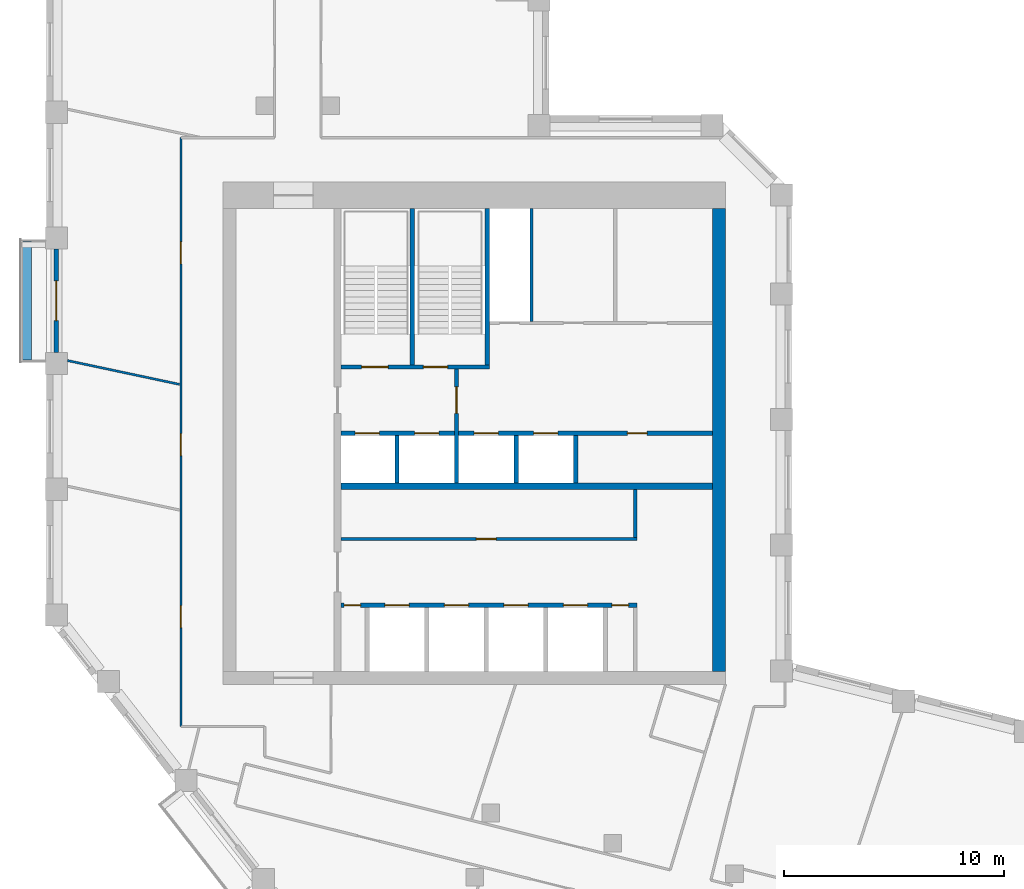
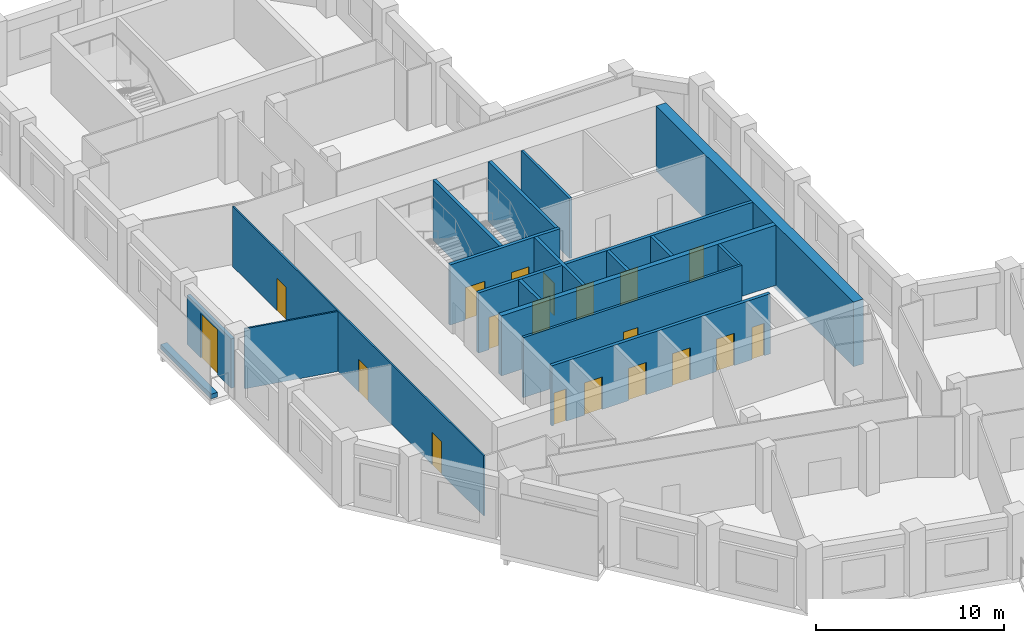
# One storey, part 5 of 9: 19 doors, 18 walls, 19 openings.
"""IFC4 building model written with IfcOpenShell, lengths in metres."""

import ifcopenshell
import ifcopenshell.guid

model = None  # the IFC model being written
_history = None  # IfcOwnerHistory: only IFC2X3 demands one
_inside = {}  # id of a spatial element -> (the spatial element, [elements in it])
_under = {}  # id of a project, library or spatial element -> (it, [spatial elements below it])
_declared = {}  # id of a project -> (the project, [libraries it declares])
_typed = {}  # id of a type object -> (the type object, [elements of that type])
_made_of = {}  # id of a material, layer set ... -> (it, [elements and type objects made of it])


def new_model(schema):
    """Start an empty IFC model of exactly this schema.

    Asked for "IFC4X3", IfcOpenShell would pick the latest addendum, in which some entities
    have other attributes; the version numbers below select the first issue.
    IFC2X3 requires an IfcOwnerHistory on every rooted entity: one is made here for all.
    """
    global model, _history
    if schema == "IFC4X3":
        model = ifcopenshell.file(schema_version=(4, 3, 0, 0))
    else:
        model = ifcopenshell.file(schema=schema)
    _inside.clear()
    _under.clear()
    _declared.clear()
    _typed.clear()
    _made_of.clear()
    _history = None
    if model.schema == "IFC2X3":
        org = make("IfcOrganization", Name="unknown")
        user = make(
            "IfcPersonAndOrganization",
            ThePerson=make("IfcPerson", FamilyName="unknown"),
            TheOrganization=org,
        )
        app = make(
            "IfcApplication",
            ApplicationDeveloper=org,
            Version="unknown",
            ApplicationFullName="unknown",
            ApplicationIdentifier="unknown",
        )
        _history = make(
            "IfcOwnerHistory",
            OwningUser=user,
            OwningApplication=app,
            ChangeAction="ADDED",
            CreationDate=0,
        )
    return model


def make(cls, **values):
    """One entity of the class cls with the attributes given. An attribute that is None is left unset."""
    return model.create_entity(
        cls, **{name: value for name, value in values.items() if value is not None}
    )


def rooted(cls, **values):
    """An entity with a GlobalId (a new one), such as an element, a storey or a relation."""
    return make(cls, GlobalId=ifcopenshell.guid.new(), OwnerHistory=_history, **values)


def si_unit(unit_type, name, prefix=None):
    """IfcSIUnit, for example si_unit("LENGTHUNIT", "METRE", prefix="MILLI")."""
    return make("IfcSIUnit", UnitType=unit_type, Prefix=prefix, Name=name)


def assignment(units):
    """IfcUnitAssignment: the units of a project."""
    return None if units is None else make("IfcUnitAssignment", Units=units)


def point(xyz):
    """IfcCartesianPoint."""
    return None if xyz is None else make("IfcCartesianPoint", Coordinates=xyz)


def direction(xyz):
    """IfcDirection."""
    return None if xyz is None else make("IfcDirection", DirectionRatios=xyz)


def frame(location, z_axis=None, x_axis=None):
    """IfcAxis2Placement3D, a coordinate frame: its origin and axes. An axis left out is left unset."""
    return make(
        "IfcAxis2Placement3D",
        Location=point(location),
        Axis=direction(z_axis),
        RefDirection=direction(x_axis),
    )


def frame_2d(location, x_axis=None):
    """IfcAxis2Placement2D, a coordinate frame in the plane: its origin and x axis."""
    return make(
        "IfcAxis2Placement2D", Location=point(location), RefDirection=direction(x_axis)
    )


def origin():
    """The frame at (0, 0, 0) with its axes left unset."""
    return frame((0.0, 0.0, 0.0))


def place(relative_to, where):
    """IfcLocalPlacement: puts the frame where relative to a parent placement (None: the world)."""
    return make(
        "IfcLocalPlacement", PlacementRelTo=relative_to, RelativePlacement=where
    )


def context(
    kind, dimensions, precision=None, world=None, true_north=None, identifier=None
):
    """IfcGeometricRepresentationContext, for example the 3D "Model" context."""
    return make(
        "IfcGeometricRepresentationContext",
        ContextIdentifier=identifier,
        ContextType=kind,
        CoordinateSpaceDimension=dimensions,
        Precision=precision,
        WorldCoordinateSystem=world,
        TrueNorth=true_north,
    )


def subcontext(parent, identifier, kind, view, scale=None):
    """IfcGeometricRepresentationSubContext, for example "Body" below "Model"."""
    return make(
        "IfcGeometricRepresentationSubContext",
        ContextIdentifier=identifier,
        ContextType=kind,
        ParentContext=parent,
        TargetScale=scale,
        TargetView=view,
    )


def project(units=None, contexts=None):
    """IfcProject with its units and contexts."""
    return rooted(
        "IfcProject",
        Name="project",
        RepresentationContexts=contexts,
        UnitsInContext=assignment(units),
    )


def spatial(cls, under=None, at=None, **own):
    """A site, building, storey or space (cls), placed at a placement, below another one or the project."""
    s = rooted(cls, ObjectPlacement=at, **own)
    if under is not None:
        _under.setdefault(under.id(), (under, []))[1].append(s)
    return s


def profile(cls, at=None, kind="AREA", **sizes):
    """A parametric profile (cls). Its sizes go by their IFC names, for example OverallWidth=200.0."""
    return make(cls, ProfileType=kind, Position=at, **sizes)


def rectangle(**sizes):
    """IfcRectangleProfileDef."""
    return profile("IfcRectangleProfileDef", **sizes)


def extrude(swept, where, along, depth):
    """IfcExtrudedAreaSolid: the profile swept, set in the frame where, extruded along a direction by depth."""
    return make(
        "IfcExtrudedAreaSolid",
        SweptArea=swept,
        Position=where,
        ExtrudedDirection=direction(along),
        Depth=depth,
    )


def shape(context_of_items, identifier, shape_type, items):
    """IfcShapeRepresentation: the items that make up one representation, for example the "Body"."""
    return make(
        "IfcShapeRepresentation",
        ContextOfItems=context_of_items,
        RepresentationIdentifier=identifier,
        RepresentationType=shape_type,
        Items=items,
    )


def material(Name=None, Category=None):
    """IfcMaterial."""
    return make("IfcMaterial", Name=Name, Category=Category)


def layer(
    of_material, thickness, ventilated=None, Name=None, Category=None, Priority=None
):
    """IfcMaterialLayer: one layer of a wall or slab, of a material (None: an air gap)."""
    return make(
        "IfcMaterialLayer",
        Material=of_material,
        LayerThickness=thickness,
        IsVentilated=ventilated,
        Name=Name,
        Category=Category,
        Priority=Priority,
    )


def layer_set(layers, Name=None):
    """IfcMaterialLayerSet."""
    return make("IfcMaterialLayerSet", MaterialLayers=layers, LayerSetName=Name)


def made_of(thing, what):
    """Note that an element or type object is made of a material, layer set ...; save() writes the relation."""
    if what is not None:
        _made_of.setdefault(what.id(), (what, []))[1].append(thing)
    return thing


def type_object(cls, material=None, **own):
    """A type object (cls), such as IfcWallType, which elements share."""
    return made_of(rooted(cls, **own), material)


def element(
    cls,
    number,
    at=None,
    inside=None,
    cuts=None,
    type_object=None,
    material=None,
    context=None,
    identifier="Body",
    shape_type=None,
    held_by="IfcProductDefinitionShape",
    body=None,
    shapes=None,
    **own,
):
    """One element of the class cls, such as IfcWall. Its Tag is "e" and its number.

    at: its placement. inside: the storey or other place that contains it. cuts: it is an
    opening in that element (IfcRelVoidsElement). A single representation is given by context,
    identifier, shape_type and body (its items); several are given by shapes. held_by: the class
    of the entity that holds the representations. save() writes the other relations.
    """
    e = rooted(cls, Tag="e%d" % number, ObjectPlacement=at, **own)
    if body is not None:
        shapes = [shape(context, identifier, shape_type, body)]
    if shapes is not None:
        e.Representation = make(held_by, Representations=shapes)
    if inside is not None:
        _inside.setdefault(inside.id(), (inside, []))[1].append(e)
    if cuts is not None:
        rooted(
            "IfcRelVoidsElement", RelatingBuildingElement=cuts, RelatedOpeningElement=e
        )
    if type_object is not None:
        _typed.setdefault(type_object.id(), (type_object, []))[1].append(e)
    return made_of(e, material)


def fill(opening, filler):
    """IfcRelFillsElement: the door or window that sits in an opening."""
    return rooted(
        "IfcRelFillsElement",
        RelatingOpeningElement=opening,
        RelatedBuildingElement=filler,
    )


def aggregate(whole, parts):
    """IfcRelAggregates: a whole, such as a stair, and the parts it consists of."""
    return rooted("IfcRelAggregates", RelatingObject=whole, RelatedObjects=parts)


def save(model, path):
    """Write the relations noted so far, then the file.

    IfcRelAggregates (storeys below a building ...), IfcRelContainedInSpatialStructure (elements
    in a storey), IfcRelDefinesByType, IfcRelAssociatesMaterial and IfcRelDeclares: one each for
    every whole, place, type object, material and project.
    """
    for whole, parts in _under.values():
        aggregate(whole, parts)
    for where, things in _inside.values():
        rooted(
            "IfcRelContainedInSpatialStructure",
            RelatedElements=things,
            RelatingStructure=where,
        )
    for kind, things in _typed.values():
        rooted("IfcRelDefinesByType", RelatedObjects=things, RelatingType=kind)
    for what, things in _made_of.values():
        rooted("IfcRelAssociatesMaterial", RelatedObjects=things, RelatingMaterial=what)
    for by, libraries in _declared.values():
        rooted("IfcRelDeclares", RelatingContext=by, RelatedDefinitions=libraries)
    model.write(path)


model = new_model("IFC4")

# Units and contexts
model_context = context("Model", 3, precision=1e-05, world=origin(), true_north=direction((0.0, 1.0)))
body_context = subcontext(model_context, "Body", "Model", "MODEL_VIEW")
ifc_project = project(units=[si_unit("LENGTHUNIT", "METRE"), si_unit("AREAUNIT", "SQUARE_METRE"), si_unit("VOLUMEUNIT", "CUBIC_METRE"), si_unit("PLANEANGLEUNIT", "RADIAN"), si_unit("MASSUNIT", "GRAM", prefix="KILO")], contexts=[model_context])

# Site, building, storey
site_placement = place(None, origin())
site = spatial("IfcSite", under=ifc_project, at=site_placement, CompositionType="ELEMENT")
building_placement = place(site_placement, origin())
building = spatial("IfcBuilding", under=site, at=building_placement, Name="Meshkara Civic Tower", CompositionType="ELEMENT")
storey_placement = place(building_placement, frame((0.0, 0.0, 336.0)))
storey = spatial("IfcBuildingStorey", under=building, at=storey_placement, Name="L77", CompositionType="ELEMENT", Elevation=336.0)

# Wall, opening, door
ifc_material_1 = material(Name="Blockwork", Category="masonry")
ifc_layer_1 = layer(ifc_material_1, 0.14990234375)
ifc_layer_set_1 = layer_set([ifc_layer_1], Name="Core partition 150")
wall_type_1 = type_object("IfcWallType", Name="Core partition 150", PredefinedType="PARTITIONING", material=ifc_layer_set_1)
wall_1_placement = place(storey_placement, frame((13.35009765625, 20.699951171875, 0.0), z_axis=(0.0, 0.0, 1.0), x_axis=(1.0, 0.0, 0.0)))
wall_1 = element("IfcWall", 1, at=wall_1_placement, inside=storey, type_object=wall_type_1, Name="L77-C006", PredefinedType="PARTITIONING", context=body_context, shape_type="SweptSolid", body=[
    extrude(rectangle(XDim=13.4248046875, YDim=0.14990234375, at=frame_2d((6.71240234375, 0.0))), origin(), (0.0, 0.0, 1.0), 3.89990234375),
])
opening_1_placement = place(wall_1_placement, frame((6.14990234375, 0.0, 0.0)))
opening_1 = element("IfcOpeningElement", 2, at=opening_1_placement, cuts=wall_1, Name="Opening L77-K011", PredefinedType="OPENING", context=body_context, shape_type="SweptSolid", body=[
    extrude(rectangle(XDim=0.89990234375, YDim=2.10009765625, at=frame_2d((0.449951171875, 1.050048828125))), frame((0.0, 0.0849609375, 0.0), z_axis=(0.0, -1.0, 0.0), x_axis=(1.0, 0.0, 0.0)), (0.0, 0.0, 1.0), 0.169921875),
])
ifc_material_2 = material(Name="Timber door leaf in steel frame", Category="steel")
door_type_1 = type_object("IfcDoorType", Name="Core room door 900", OperationType="SINGLE_SWING_LEFT", PredefinedType="DOOR", material=ifc_material_2)
door_1_placement = place(opening_1_placement, origin())
door_1 = element("IfcDoor", 3, at=door_1_placement, inside=storey, type_object=door_type_1, Name="L77-K011", OperationType="SINGLE_SWING_RIGHT", OverallHeight=2.10009765625, OverallWidth=0.89990234375, PredefinedType="DOOR", context=body_context, shape_type="SweptSolid", body=[
    extrude(rectangle(XDim=0.89990234375, YDim=2.10009765625, at=frame_2d((0.449951171875, 1.050048828125))), frame((0.0, 0.02490234375, 0.0), z_axis=(0.0, -1.0, 0.0), x_axis=(1.0, 0.0, 0.0)), (0.0, 0.0, 1.0), 0.050048828125),
])
fill(opening_1, door_1)

# Walls
wall_2_placement = place(storey_placement, frame((22.0, 30.574951171875, 0.0), z_axis=(0.0, 0.0, 1.0), x_axis=(0.0, 1.0, 0.0)))
element("IfcWall", 4, at=wall_2_placement, inside=storey, type_object=wall_type_1, Name="L77-C020", PredefinedType="PARTITIONING", context=body_context, shape_type="SweptSolid", body=[
    extrude(rectangle(XDim=5.125, YDim=0.14990234375, at=frame_2d((2.5625, 0.0))), origin(), (0.0, 0.0, 1.0), 3.89990234375),
])
wall_3_placement = place(storey_placement, frame((26.699951171875, 20.77490234375, 0.0), z_axis=(0.0, 0.0, 1.0), x_axis=(0.0, 1.0, 0.0)))
element("IfcWall", 5, at=wall_3_placement, inside=storey, type_object=wall_type_1, Name="L77-C026", PredefinedType="PARTITIONING", context=body_context, shape_type="SweptSolid", body=[
    extrude(rectangle(XDim=2.175048828125, YDim=0.14990234375, at=frame_2d((1.08740234375, 0.0))), origin(), (0.0, 0.0, 1.0), 3.89990234375),
])
ifc_material_3 = material(Name="Concrete C60", Category="concrete")
ifc_layer_2 = layer(ifc_material_3, 0.60009765625)
ifc_layer_set_2 = layer_set([ifc_layer_2], Name="Core ring wall 600 C60")
wall_type_2 = type_object("IfcWallType", Name="Core ring wall 600 C60", PredefinedType="SHEAR", material=ifc_layer_set_2)
wall_4_placement = place(storey_placement, frame((30.5, 14.699951171875, -0.300048828125), z_axis=(0.0, 0.0, 1.0), x_axis=(0.0, 1.0, 0.0)))
element("IfcWall", 6, at=wall_4_placement, inside=storey, type_object=wall_type_2, Name="L77-C004", PredefinedType="SHEAR", context=body_context, shape_type="SweptSolid", body=[
    extrude(rectangle(XDim=21.0, YDim=0.60009765625, at=frame_2d((10.5, 0.0))), origin(), (0.0, 0.0, 1.0), 4.199951171875),
])
ifc_material_4 = material(Name="Concrete C60", Category="concrete")
ifc_layer_3 = layer(ifc_material_4, 0.300048828125)
ifc_layer_set_3 = layer_set([ifc_layer_3], Name="Core shear wall 300 C60")
wall_type_3 = type_object("IfcWallType", Name="Core shear wall 300 C60", PredefinedType="SHEAR", material=ifc_layer_set_3)
wall_5_placement = place(storey_placement, frame((13.35009765625, 23.10009765625, 0.0), z_axis=(0.0, 0.0, 1.0), x_axis=(1.0, 0.0, 0.0)))
element("IfcWall", 7, at=wall_5_placement, inside=storey, type_object=wall_type_3, Name="L77-C007", PredefinedType="SHEAR", context=body_context, shape_type="SweptSolid", body=[
    extrude(rectangle(XDim=16.849853515625, YDim=0.300048828125, at=frame_2d((8.4248046875, 0.0))), origin(), (0.0, 0.0, 1.0), 3.89990234375),
])

# Wall, openings, doors
ifc_material_5 = material(Name="Corridor wall 100")
ifc_layer_4 = layer(ifc_material_5, 0.10009765625)
ifc_layer_set_4 = layer_set([ifc_layer_4], Name="Corridor wall 100")
wall_type_4 = type_object("IfcWallType", Name="Corridor wall 100", PredefinedType="PARTITIONING", material=ifc_layer_set_4)
wall_6_placement = place(storey_placement, frame((6.10009765625, 12.199951171875, 0.0), z_axis=(0.0, 0.0, 1.0), x_axis=(0.0, 1.0, 0.0)))
wall_6 = element("IfcWall", 8, at=wall_6_placement, inside=storey, type_object=wall_type_4, Name="L77-W004", PredefinedType="PARTITIONING", context=body_context, shape_type="SweptSolid", body=[
    extrude(rectangle(XDim=26.699951171875, YDim=0.10009765625, at=frame_2d((13.35009765625, 0.0))), origin(), (0.0, 0.0, 1.0), 3.89990234375),
])
opening_2_placement = place(wall_6_placement, frame((4.47998046875, 0.0, 0.0)))
opening_2 = element("IfcOpeningElement", 9, at=opening_2_placement, cuts=wall_6, Name="Opening L77-D012", PredefinedType="OPENING", context=body_context, shape_type="SweptSolid", body=[
    extrude(rectangle(XDim=1.0, YDim=2.10009765625, at=frame_2d((0.5, 1.050048828125))), frame((0.0, 0.06005859375, 0.0), z_axis=(0.0, -1.0, 0.0), x_axis=(1.0, 0.0, 0.0)), (0.0, 0.0, 1.0), 0.1201171875),
])
opening_3_placement = place(wall_6_placement, frame((12.279052734375, 0.0, 0.0)))
opening_3 = element("IfcOpeningElement", 10, at=opening_3_placement, cuts=wall_6, Name="Opening L77-D015", PredefinedType="OPENING", context=body_context, shape_type="SweptSolid", body=[
    extrude(rectangle(XDim=1.0, YDim=2.10009765625, at=frame_2d((0.5, 1.050048828125))), frame((0.0, 0.06005859375, 0.0), z_axis=(0.0, -1.0, 0.0), x_axis=(1.0, 0.0, 0.0)), (0.0, 0.0, 1.0), 0.1201171875),
])
opening_4_placement = place(wall_6_placement, frame((20.97900390625, 0.0, 0.0)))
opening_4 = element("IfcOpeningElement", 11, at=opening_4_placement, cuts=wall_6, Name="Opening L77-D016", PredefinedType="OPENING", context=body_context, shape_type="SweptSolid", body=[
    extrude(rectangle(XDim=1.0, YDim=2.10009765625, at=frame_2d((0.5, 1.050048828125))), frame((0.0, 0.06005859375, 0.0), z_axis=(0.0, -1.0, 0.0), x_axis=(1.0, 0.0, 0.0)), (0.0, 0.0, 1.0), 0.1201171875),
])
ifc_material_6 = material(Name="Door 1000 x 2100")
door_type_2 = type_object("IfcDoorType", Name="Door 1000 x 2100", OperationType="SINGLE_SWING_LEFT", PredefinedType="DOOR", material=ifc_material_6)
door_2_placement = place(opening_2_placement, origin())
door_2 = element("IfcDoor", 12, at=door_2_placement, inside=storey, type_object=door_type_2, Name="L77-D012", OperationType="SINGLE_SWING_RIGHT", OverallHeight=2.10009765625, OverallWidth=1.0, PredefinedType="DOOR", context=body_context, shape_type="SweptSolid", body=[
    extrude(rectangle(XDim=1.0, YDim=2.10009765625, at=frame_2d((0.5, 1.050048828125))), frame((0.0, 0.02490234375, 0.0), z_axis=(0.0, -1.0, 0.0), x_axis=(1.0, 0.0, 0.0)), (0.0, 0.0, 1.0), 0.050048828125),
])
fill(opening_2, door_2)
door_3_placement = place(opening_3_placement, origin())
door_3 = element("IfcDoor", 13, at=door_3_placement, inside=storey, type_object=door_type_2, Name="L77-D015", OperationType="SINGLE_SWING_RIGHT", OverallHeight=2.10009765625, OverallWidth=1.0, PredefinedType="DOOR", context=body_context, shape_type="SweptSolid", body=[
    extrude(rectangle(XDim=1.0, YDim=2.10009765625, at=frame_2d((0.5, 1.050048828125))), frame((0.0, 0.02490234375, 0.0), z_axis=(0.0, -1.0, 0.0), x_axis=(1.0, 0.0, 0.0)), (0.0, 0.0, 1.0), 0.050048828125),
])
fill(opening_3, door_3)
door_4_placement = place(opening_4_placement, origin())
door_4 = element("IfcDoor", 14, at=door_4_placement, inside=storey, type_object=door_type_2, Name="L77-D016", OperationType="SINGLE_SWING_RIGHT", OverallHeight=2.10009765625, OverallWidth=1.0, PredefinedType="DOOR", context=body_context, shape_type="SweptSolid", body=[
    extrude(rectangle(XDim=1.0, YDim=2.10009765625, at=frame_2d((0.5, 1.050048828125))), frame((0.0, 0.02490234375, 0.0), z_axis=(0.0, -1.0, 0.0), x_axis=(1.0, 0.0, 0.0)), (0.0, 0.0, 1.0), 0.050048828125),
])
fill(opening_4, door_4)

# Wall, opening, door
ifc_material_7 = material(Name="Insulated infill panel with bronze anodised aluminium cladding", Category="aluminium")
ifc_layer_5 = layer(ifc_material_7, 0.199951171875)
ifc_layer_set_5 = layer_set([ifc_layer_5], Name="LOGGIA BACK WALL 200")
wall_type_5 = type_object("IfcWallType", Name="LOGGIA BACK WALL 200", PredefinedType="SOLIDWALL", material=ifc_layer_set_5)
wall_7_placement = place(storey_placement, frame((0.449951171875, 33.85498046875, 0.0), z_axis=(0.0, 0.0, 1.0), x_axis=(0.0, -1.0, 0.0)))
wall_7 = element("IfcWall", 15, at=wall_7_placement, inside=storey, type_object=wall_type_5, Name="Loggia wall", PredefinedType="SOLIDWALL", context=body_context, shape_type="SweptSolid", body=[
    extrude(rectangle(XDim=4.699951171875, YDim=0.199951171875, at=frame_2d((2.35009765625, 0.0))), origin(), (0.0, 0.0, 1.0), 3.199951171875),
])
opening_5_placement = place(wall_7_placement, frame((1.449951171875, 0.0, 0.0)))
opening_5 = element("IfcOpeningElement", 16, at=opening_5_placement, cuts=wall_7, Name="Opening L77-L001", PredefinedType="OPENING", context=body_context, shape_type="SweptSolid", body=[
    extrude(rectangle(XDim=1.800048828125, YDim=2.89990234375, at=frame_2d((0.89990234375, 1.449951171875))), frame((0.0, 0.10986328125, 0.0), z_axis=(0.0, -1.0, 0.0), x_axis=(1.0, 0.0, 0.0)), (0.0, 0.0, 1.0), 0.219970703125),
])
ifc_material_8 = material(Name="Tinted double glazing", Category="glass")
door_type_3 = type_object("IfcDoorType", Name="LOGGIA DOOR 1800x2900", OperationType="DOUBLE_DOOR_SINGLE_SWING", PredefinedType="DOOR", material=ifc_material_8)
door_5_placement = place(opening_5_placement, origin())
door_5 = element("IfcDoor", 17, at=door_5_placement, inside=storey, type_object=door_type_3, Name="L77-L001", OperationType="DOUBLE_DOOR_SINGLE_SWING", OverallHeight=2.89990234375, OverallWidth=1.800048828125, PredefinedType="DOOR", context=body_context, shape_type="SweptSolid", body=[
    extrude(rectangle(XDim=1.800048828125, YDim=2.89990234375, at=frame_2d((0.89990234375, 1.449951171875))), frame((0.0, 0.02490234375, 0.0), z_axis=(0.0, -1.0, 0.0), x_axis=(1.0, 0.0, 0.0)), (0.0, 0.0, 1.0), 0.050048828125),
])
fill(opening_5, door_5)

# Walls
ifc_material_9 = material(Name="Concrete C40", Category="concrete")
ifc_layer_6 = layer(ifc_material_9, 0.39990234375)
ifc_layer_set_6 = layer_set([ifc_layer_6], Name="PLANTER TRAY")
wall_type_6 = type_object("IfcWallType", Name="PLANTER TRAY", PredefinedType="SOLIDWALL", material=ifc_layer_set_6)
wall_8_placement = place(storey_placement, frame((-0.8798828125, 34.18505859375, 0.0), z_axis=(0.0, 0.0, 1.0), x_axis=(0.0, -1.0, 0.0)))
element("IfcWall", 18, at=wall_8_placement, inside=storey, type_object=wall_type_6, Name="Planter", PredefinedType="SOLIDWALL", context=body_context, shape_type="SweptSolid", body=[
    extrude(rectangle(XDim=5.360107421875, YDim=0.39990234375, at=frame_2d((2.68017578125, 0.0))), origin(), (0.0, 0.0, 1.0), 0.300048828125),
])
ifc_material_10 = material(Name="Partition 100")
ifc_layer_7 = layer(ifc_material_10, 0.10009765625)
ifc_layer_set_7 = layer_set([ifc_layer_7], Name="Partition 100")
wall_type_7 = type_object("IfcWallType", Name="Partition 100", PredefinedType="PARTITIONING", material=ifc_layer_set_7)
wall_9_placement = place(storey_placement, frame((6.0400390625, 27.7119140625, 0.0), z_axis=(0.0, 0.0, 1.0), x_axis=(-0.978143705428, 0.207930015946, 0.0)))
element("IfcWall", 19, at=wall_9_placement, inside=storey, type_object=wall_type_7, Name="L77-W044", PredefinedType="PARTITIONING", context=body_context, shape_type="SweptSolid", body=[
    extrude(rectangle(XDim=5.203857421875, YDim=0.10009765625, at=frame_2d((2.60205078125, 0.0))), origin(), (0.0, 0.0, 1.0), 3.89990234375),
])

# Wall, openings, doors
ifc_material_11 = material(Name="Concrete C40/50", Category="concrete")
ifc_layer_8 = layer(ifc_material_11, 0.199951171875)
ifc_layer_set_8 = layer_set([ifc_layer_8], Name="Shaft wall 200 C40/50")
wall_type_8 = type_object("IfcWallType", Name="Shaft wall 200 C40/50", PredefinedType="SOLIDWALL", material=ifc_layer_set_8)
wall_10_placement = place(storey_placement, frame((13.35009765625, 17.699951171875, 0.0), z_axis=(0.0, 0.0, 1.0), x_axis=(1.0, 0.0, 0.0)))
wall_10 = element("IfcWall", 20, at=wall_10_placement, inside=storey, type_object=wall_type_8, Name="L77-C005", PredefinedType="SOLIDWALL", context=body_context, shape_type="SweptSolid", body=[
    extrude(rectangle(XDim=13.4248046875, YDim=0.199951171875, at=frame_2d((6.71240234375, 0.0))), origin(), (0.0, 0.0, 1.0), 3.89990234375),
])
opening_6_placement = place(wall_10_placement, frame((2.0, 0.0, 0.0)))
opening_6 = element("IfcOpeningElement", 21, at=opening_6_placement, cuts=wall_10, Name="Opening L77-K001", PredefinedType="OPENING", context=body_context, shape_type="SweptSolid", body=[
    extrude(rectangle(XDim=1.10009765625, YDim=2.10009765625, at=frame_2d((0.550048828125, 1.050048828125))), frame((0.0, 0.10986328125, 0.0), z_axis=(0.0, -1.0, 0.0), x_axis=(1.0, 0.0, 0.0)), (0.0, 0.0, 1.0), 0.219970703125),
])
opening_7_placement = place(wall_10_placement, frame((4.699951171875, 0.0, 0.0)))
opening_7 = element("IfcOpeningElement", 22, at=opening_7_placement, cuts=wall_10, Name="Opening L77-K002", PredefinedType="OPENING", context=body_context, shape_type="SweptSolid", body=[
    extrude(rectangle(XDim=1.10009765625, YDim=2.10009765625, at=frame_2d((0.550048828125, 1.050048828125))), frame((0.0, 0.10986328125, 0.0), z_axis=(0.0, -1.0, 0.0), x_axis=(1.0, 0.0, 0.0)), (0.0, 0.0, 1.0), 0.219970703125),
])
opening_8_placement = place(wall_10_placement, frame((7.39990234375, 0.0, 0.0)))
opening_8 = element("IfcOpeningElement", 23, at=opening_8_placement, cuts=wall_10, Name="Opening L77-K003", PredefinedType="OPENING", context=body_context, shape_type="SweptSolid", body=[
    extrude(rectangle(XDim=1.10009765625, YDim=2.10009765625, at=frame_2d((0.550048828125, 1.050048828125))), frame((0.0, 0.10986328125, 0.0), z_axis=(0.0, -1.0, 0.0), x_axis=(1.0, 0.0, 0.0)), (0.0, 0.0, 1.0), 0.219970703125),
])
opening_9_placement = place(wall_10_placement, frame((10.10009765625, 0.0, 0.0)))
opening_9 = element("IfcOpeningElement", 24, at=opening_9_placement, cuts=wall_10, Name="Opening L77-K004", PredefinedType="OPENING", context=body_context, shape_type="SweptSolid", body=[
    extrude(rectangle(XDim=1.10009765625, YDim=2.10009765625, at=frame_2d((0.550048828125, 1.050048828125))), frame((0.0, 0.10986328125, 0.0), z_axis=(0.0, -1.0, 0.0), x_axis=(1.0, 0.0, 0.0)), (0.0, 0.0, 1.0), 0.219970703125),
])
opening_10_placement = place(wall_10_placement, frame((0.14990234375, 0.0, 0.0)))
opening_10 = element("IfcOpeningElement", 25, at=opening_10_placement, cuts=wall_10, Name="Opening L77-K009", PredefinedType="OPENING", context=body_context, shape_type="SweptSolid", body=[
    extrude(rectangle(XDim=0.75, YDim=2.10009765625, at=frame_2d((0.375, 1.050048828125))), frame((0.0, 0.10986328125, 0.0), z_axis=(0.0, -1.0, 0.0), x_axis=(1.0, 0.0, 0.0)), (0.0, 0.0, 1.0), 0.219970703125),
])
opening_11_placement = place(wall_10_placement, frame((12.300048828125, 0.0, 0.0)))
opening_11 = element("IfcOpeningElement", 26, at=opening_11_placement, cuts=wall_10, Name="Opening L77-K010", PredefinedType="OPENING", context=body_context, shape_type="SweptSolid", body=[
    extrude(rectangle(XDim=0.75, YDim=2.10009765625, at=frame_2d((0.375, 1.050048828125))), frame((0.0, 0.10986328125, 0.0), z_axis=(0.0, -1.0, 0.0), x_axis=(1.0, 0.0, 0.0)), (0.0, 0.0, 1.0), 0.219970703125),
])
ifc_material_12 = material(Name="Timber door leaf in steel frame", Category="steel")
door_type_4 = type_object("IfcDoorType", Name="Core room door 750", OperationType="SINGLE_SWING_LEFT", PredefinedType="DOOR", material=ifc_material_12)
door_6_placement = place(opening_10_placement, origin())
door_6 = element("IfcDoor", 27, at=door_6_placement, inside=storey, type_object=door_type_4, Name="L77-K009", OperationType="SINGLE_SWING_RIGHT", OverallHeight=2.10009765625, OverallWidth=0.75, PredefinedType="DOOR", context=body_context, shape_type="SweptSolid", body=[
    extrude(rectangle(XDim=0.75, YDim=2.10009765625, at=frame_2d((0.375, 1.050048828125))), frame((0.0, 0.02490234375, 0.0), z_axis=(0.0, -1.0, 0.0), x_axis=(1.0, 0.0, 0.0)), (0.0, 0.0, 1.0), 0.050048828125),
])
fill(opening_10, door_6)
door_7_placement = place(opening_11_placement, origin())
door_7 = element("IfcDoor", 28, at=door_7_placement, inside=storey, type_object=door_type_4, Name="L77-K010", OperationType="SINGLE_SWING_RIGHT", OverallHeight=2.10009765625, OverallWidth=0.75, PredefinedType="DOOR", context=body_context, shape_type="SweptSolid", body=[
    extrude(rectangle(XDim=0.75, YDim=2.10009765625, at=frame_2d((0.375, 1.050048828125))), frame((0.0, 0.02490234375, 0.0), z_axis=(0.0, -1.0, 0.0), x_axis=(1.0, 0.0, 0.0)), (0.0, 0.0, 1.0), 0.050048828125),
])
fill(opening_11, door_7)
ifc_material_13 = material(Name="Stainless steel landing door", Category="steel")
door_type_5 = type_object("IfcDoorType", Name="Lift landing door 1100", OperationType="SLIDING_TO_LEFT", PredefinedType="DOOR", material=ifc_material_13)
door_8_placement = place(opening_6_placement, origin())
door_8 = element("IfcDoor", 29, at=door_8_placement, inside=storey, type_object=door_type_5, Name="L77-K001", OperationType="SLIDING_TO_LEFT", OverallHeight=2.10009765625, OverallWidth=1.10009765625, PredefinedType="DOOR", context=body_context, shape_type="SweptSolid", body=[
    extrude(rectangle(XDim=1.10009765625, YDim=2.10009765625, at=frame_2d((0.550048828125, 1.050048828125))), frame((0.0, 0.02490234375, 0.0), z_axis=(0.0, -1.0, 0.0), x_axis=(1.0, 0.0, 0.0)), (0.0, 0.0, 1.0), 0.050048828125),
])
fill(opening_6, door_8)
door_9_placement = place(opening_7_placement, origin())
door_9 = element("IfcDoor", 30, at=door_9_placement, inside=storey, type_object=door_type_5, Name="L77-K002", OperationType="SLIDING_TO_LEFT", OverallHeight=2.10009765625, OverallWidth=1.10009765625, PredefinedType="DOOR", context=body_context, shape_type="SweptSolid", body=[
    extrude(rectangle(XDim=1.10009765625, YDim=2.10009765625, at=frame_2d((0.550048828125, 1.050048828125))), frame((0.0, 0.02490234375, 0.0), z_axis=(0.0, -1.0, 0.0), x_axis=(1.0, 0.0, 0.0)), (0.0, 0.0, 1.0), 0.050048828125),
])
fill(opening_7, door_9)
door_10_placement = place(opening_8_placement, origin())
door_10 = element("IfcDoor", 31, at=door_10_placement, inside=storey, type_object=door_type_5, Name="L77-K003", OperationType="SLIDING_TO_LEFT", OverallHeight=2.10009765625, OverallWidth=1.10009765625, PredefinedType="DOOR", context=body_context, shape_type="SweptSolid", body=[
    extrude(rectangle(XDim=1.10009765625, YDim=2.10009765625, at=frame_2d((0.550048828125, 1.050048828125))), frame((0.0, 0.02490234375, 0.0), z_axis=(0.0, -1.0, 0.0), x_axis=(1.0, 0.0, 0.0)), (0.0, 0.0, 1.0), 0.050048828125),
])
fill(opening_8, door_10)
door_11_placement = place(opening_9_placement, origin())
door_11 = element("IfcDoor", 32, at=door_11_placement, inside=storey, type_object=door_type_5, Name="L77-K004", OperationType="SLIDING_TO_LEFT", OverallHeight=2.10009765625, OverallWidth=1.10009765625, PredefinedType="DOOR", context=body_context, shape_type="SweptSolid", body=[
    extrude(rectangle(XDim=1.10009765625, YDim=2.10009765625, at=frame_2d((0.550048828125, 1.050048828125))), frame((0.0, 0.02490234375, 0.0), z_axis=(0.0, -1.0, 0.0), x_axis=(1.0, 0.0, 0.0)), (0.0, 0.0, 1.0), 0.050048828125),
])
fill(opening_9, door_11)

wall_11_placement = place(storey_placement, frame((13.35009765625, 25.5, 0.0), z_axis=(0.0, 0.0, 1.0), x_axis=(1.0, 0.0, 0.0)))
wall_11 = element("IfcWall", 33, at=wall_11_placement, inside=storey, type_object=wall_type_8, Name="L77-C008", PredefinedType="SOLIDWALL", context=body_context, shape_type="SweptSolid", body=[
    extrude(rectangle(XDim=16.849853515625, YDim=0.199951171875, at=frame_2d((8.4248046875, 0.0))), origin(), (0.0, 0.0, 1.0), 3.89990234375),
])
opening_12_placement = place(wall_11_placement, frame((0.64990234375, 0.0, 0.0)))
opening_12 = element("IfcOpeningElement", 34, at=opening_12_placement, cuts=wall_11, Name="Opening L77-K005", PredefinedType="OPENING", context=body_context, shape_type="SweptSolid", body=[
    extrude(rectangle(XDim=1.10009765625, YDim=2.10009765625, at=frame_2d((0.550048828125, 1.050048828125))), frame((0.0, 0.10986328125, 0.0), z_axis=(0.0, -1.0, 0.0), x_axis=(1.0, 0.0, 0.0)), (0.0, 0.0, 1.0), 0.219970703125),
])
opening_13_placement = place(wall_11_placement, frame((3.35009765625, 0.0, 0.0)))
opening_13 = element("IfcOpeningElement", 35, at=opening_13_placement, cuts=wall_11, Name="Opening L77-K006", PredefinedType="OPENING", context=body_context, shape_type="SweptSolid", body=[
    extrude(rectangle(XDim=1.10009765625, YDim=2.10009765625, at=frame_2d((0.550048828125, 1.050048828125))), frame((0.0, 0.10986328125, 0.0), z_axis=(0.0, -1.0, 0.0), x_axis=(1.0, 0.0, 0.0)), (0.0, 0.0, 1.0), 0.219970703125),
])
opening_14_placement = place(wall_11_placement, frame((6.050048828125, 0.0, 0.0)))
opening_14 = element("IfcOpeningElement", 36, at=opening_14_placement, cuts=wall_11, Name="Opening L77-K007", PredefinedType="OPENING", context=body_context, shape_type="SweptSolid", body=[
    extrude(rectangle(XDim=1.10009765625, YDim=2.10009765625, at=frame_2d((0.550048828125, 1.050048828125))), frame((0.0, 0.10986328125, 0.0), z_axis=(0.0, -1.0, 0.0), x_axis=(1.0, 0.0, 0.0)), (0.0, 0.0, 1.0), 0.219970703125),
])
opening_15_placement = place(wall_11_placement, frame((8.75, 0.0, 0.0)))
opening_15 = element("IfcOpeningElement", 37, at=opening_15_placement, cuts=wall_11, Name="Opening L77-K008", PredefinedType="OPENING", context=body_context, shape_type="SweptSolid", body=[
    extrude(rectangle(XDim=1.10009765625, YDim=2.10009765625, at=frame_2d((0.550048828125, 1.050048828125))), frame((0.0, 0.10986328125, 0.0), z_axis=(0.0, -1.0, 0.0), x_axis=(1.0, 0.0, 0.0)), (0.0, 0.0, 1.0), 0.219970703125),
])
opening_16_placement = place(wall_11_placement, frame((13.0, 0.0, 0.0)))
opening_16 = element("IfcOpeningElement", 38, at=opening_16_placement, cuts=wall_11, Name="Opening L77-K012", PredefinedType="OPENING", context=body_context, shape_type="SweptSolid", body=[
    extrude(rectangle(XDim=0.89990234375, YDim=2.10009765625, at=frame_2d((0.449951171875, 1.050048828125))), frame((0.0, 0.10986328125, 0.0), z_axis=(0.0, -1.0, 0.0), x_axis=(1.0, 0.0, 0.0)), (0.0, 0.0, 1.0), 0.219970703125),
])
door_12_placement = place(opening_16_placement, origin())
door_12 = element("IfcDoor", 39, at=door_12_placement, inside=storey, type_object=door_type_1, Name="L77-K012", OperationType="SINGLE_SWING_LEFT", OverallHeight=2.10009765625, OverallWidth=0.89990234375, PredefinedType="DOOR", context=body_context, shape_type="SweptSolid", body=[
    extrude(rectangle(XDim=0.89990234375, YDim=2.10009765625, at=frame_2d((0.449951171875, 1.050048828125))), frame((0.0, 0.02490234375, 0.0), z_axis=(0.0, -1.0, 0.0), x_axis=(1.0, 0.0, 0.0)), (0.0, 0.0, 1.0), 0.050048828125),
])
fill(opening_16, door_12)
door_13_placement = place(opening_12_placement, origin())
door_13 = element("IfcDoor", 40, at=door_13_placement, inside=storey, type_object=door_type_5, Name="L77-K005", OperationType="SLIDING_TO_LEFT", OverallHeight=2.10009765625, OverallWidth=1.10009765625, PredefinedType="DOOR", context=body_context, shape_type="SweptSolid", body=[
    extrude(rectangle(XDim=1.10009765625, YDim=2.10009765625, at=frame_2d((0.550048828125, 1.050048828125))), frame((0.0, 0.02490234375, 0.0), z_axis=(0.0, -1.0, 0.0), x_axis=(1.0, 0.0, 0.0)), (0.0, 0.0, 1.0), 0.050048828125),
])
fill(opening_12, door_13)
door_14_placement = place(opening_13_placement, origin())
door_14 = element("IfcDoor", 41, at=door_14_placement, inside=storey, type_object=door_type_5, Name="L77-K006", OperationType="SLIDING_TO_LEFT", OverallHeight=2.10009765625, OverallWidth=1.10009765625, PredefinedType="DOOR", context=body_context, shape_type="SweptSolid", body=[
    extrude(rectangle(XDim=1.10009765625, YDim=2.10009765625, at=frame_2d((0.550048828125, 1.050048828125))), frame((0.0, 0.02490234375, 0.0), z_axis=(0.0, -1.0, 0.0), x_axis=(1.0, 0.0, 0.0)), (0.0, 0.0, 1.0), 0.050048828125),
])
fill(opening_13, door_14)
door_15_placement = place(opening_14_placement, origin())
door_15 = element("IfcDoor", 42, at=door_15_placement, inside=storey, type_object=door_type_5, Name="L77-K007", OperationType="SLIDING_TO_LEFT", OverallHeight=2.10009765625, OverallWidth=1.10009765625, PredefinedType="DOOR", context=body_context, shape_type="SweptSolid", body=[
    extrude(rectangle(XDim=1.10009765625, YDim=2.10009765625, at=frame_2d((0.550048828125, 1.050048828125))), frame((0.0, 0.02490234375, 0.0), z_axis=(0.0, -1.0, 0.0), x_axis=(1.0, 0.0, 0.0)), (0.0, 0.0, 1.0), 0.050048828125),
])
fill(opening_14, door_15)
door_16_placement = place(opening_15_placement, origin())
door_16 = element("IfcDoor", 43, at=door_16_placement, inside=storey, type_object=door_type_5, Name="L77-K008", OperationType="SLIDING_TO_LEFT", OverallHeight=2.10009765625, OverallWidth=1.10009765625, PredefinedType="DOOR", context=body_context, shape_type="SweptSolid", body=[
    extrude(rectangle(XDim=1.10009765625, YDim=2.10009765625, at=frame_2d((0.550048828125, 1.050048828125))), frame((0.0, 0.02490234375, 0.0), z_axis=(0.0, -1.0, 0.0), x_axis=(1.0, 0.0, 0.0)), (0.0, 0.0, 1.0), 0.050048828125),
])
fill(opening_15, door_16)

# Wall
wall_12_placement = place(storey_placement, frame((15.89990234375, 23.25, 0.0), z_axis=(0.0, 0.0, 1.0), x_axis=(0.0, 1.0, 0.0)))
element("IfcWall", 44, at=wall_12_placement, inside=storey, type_object=wall_type_8, Name="L77-C013", PredefinedType="SOLIDWALL", context=body_context, shape_type="SweptSolid", body=[
    extrude(rectangle(XDim=2.14990234375, YDim=0.199951171875, at=frame_2d((1.074951171875, 0.0))), origin(), (0.0, 0.0, 1.0), 3.89990234375),
])

# Wall, opening, door
wall_13_placement = place(storey_placement, frame((18.60009765625, 23.25, 0.0), z_axis=(0.0, 0.0, 1.0), x_axis=(0.0, 1.0, 0.0)))
wall_13 = element("IfcWall", 45, at=wall_13_placement, inside=storey, type_object=wall_type_8, Name="L77-C016", PredefinedType="SOLIDWALL", context=body_context, shape_type="SweptSolid", body=[
    extrude(rectangle(XDim=5.14990234375, YDim=0.199951171875, at=frame_2d((2.574951171875, 0.0))), origin(), (0.0, 0.0, 1.0), 3.89990234375),
])
opening_17_placement = place(wall_13_placement, frame((3.14990234375, 0.0, 0.0)))
opening_17 = element("IfcOpeningElement", 46, at=opening_17_placement, cuts=wall_13, Name="Opening L77-K020", PredefinedType="OPENING", context=body_context, shape_type="SweptSolid", body=[
    extrude(rectangle(XDim=1.199951171875, YDim=2.10009765625, at=frame_2d((0.60009765625, 1.050048828125))), frame((0.0, 0.10986328125, 0.0), z_axis=(0.0, -1.0, 0.0), x_axis=(1.0, 0.0, 0.0)), (0.0, 0.0, 1.0), 0.219970703125),
])
ifc_material_14 = material(Name="Fire-rated door leaf in steel frame", Category="steel")
door_type_6 = type_object("IfcDoorType", Name="Fire-fighting lobby door 1200 EI 120", OperationType="SINGLE_SWING_LEFT", PredefinedType="DOOR", material=ifc_material_14)
door_17_placement = place(opening_17_placement, origin())
door_17 = element("IfcDoor", 47, at=door_17_placement, inside=storey, type_object=door_type_6, Name="L77-K020", OperationType="SINGLE_SWING_RIGHT", OverallHeight=2.10009765625, OverallWidth=1.199951171875, PredefinedType="DOOR", context=body_context, shape_type="SweptSolid", body=[
    extrude(rectangle(XDim=1.199951171875, YDim=2.10009765625, at=frame_2d((0.60009765625, 1.050048828125))), frame((0.0, 0.02490234375, 0.0), z_axis=(0.0, -1.0, 0.0), x_axis=(1.0, 0.0, 0.0)), (0.0, 0.0, 1.0), 0.050048828125),
])
fill(opening_17, door_17)

# Walls
for number, where, z_axis, x_axis, name in (
    (48, (21.300048828125, 23.25, 0.0), (0.0, 0.0, 1.0), (0.0, 1.0, 0.0), "L77-C019"),
    (49, (24.0, 23.25, 0.0), (0.0, 0.0, 1.0), (0.0, 1.0, 0.0), "L77-C022"),
):
    element("IfcWall", number, at=place(storey_placement, frame(where, z_axis=z_axis, x_axis=x_axis)), inside=storey, type_object=wall_type_8, Name=name, PredefinedType="SOLIDWALL", context=body_context, shape_type="SweptSolid", body=[
        extrude(rectangle(XDim=2.14990234375, YDim=0.199951171875, at=frame_2d((1.074951171875, 0.0))), origin(), (0.0, 0.0, 1.0), 3.89990234375),
    ])

# Wall, openings, doors
ifc_material_15 = material(Name="Concrete C40/50", Category="concrete")
ifc_layer_9 = layer(ifc_material_15, 0.199951171875)
ifc_layer_set_9 = layer_set([ifc_layer_9], Name="Stair enclosure wall 200 C40/50")
wall_type_9 = type_object("IfcWallType", Name="Stair enclosure wall 200 C40/50", PredefinedType="SOLIDWALL", material=ifc_layer_set_9)
wall_14_placement = place(storey_placement, frame((13.35009765625, 28.5, 0.0), z_axis=(0.0, 0.0, 1.0), x_axis=(1.0, 0.0, 0.0)))
wall_14 = element("IfcWall", 50, at=wall_14_placement, inside=storey, type_object=wall_type_9, Name="L77-C009", PredefinedType="SOLIDWALL", context=body_context, shape_type="SweptSolid", body=[
    extrude(rectangle(XDim=6.75, YDim=0.199951171875, at=frame_2d((3.375, 0.0))), origin(), (0.0, 0.0, 1.0), 3.89990234375),
])
opening_18_placement = place(wall_14_placement, frame((0.949951171875, 0.0, 0.0)))
opening_18 = element("IfcOpeningElement", 51, at=opening_18_placement, cuts=wall_14, Name="Opening L77-K016", PredefinedType="OPENING", context=body_context, shape_type="SweptSolid", body=[
    extrude(rectangle(XDim=1.199951171875, YDim=2.10009765625, at=frame_2d((0.60009765625, 1.050048828125))), frame((0.0, 0.10986328125, 0.0), z_axis=(0.0, -1.0, 0.0), x_axis=(1.0, 0.0, 0.0)), (0.0, 0.0, 1.0), 0.219970703125),
])
opening_19_placement = place(wall_14_placement, frame((3.75, 0.0, 0.0)))
opening_19 = element("IfcOpeningElement", 52, at=opening_19_placement, cuts=wall_14, Name="Opening L77-K017", PredefinedType="OPENING", context=body_context, shape_type="SweptSolid", body=[
    extrude(rectangle(XDim=1.10009765625, YDim=2.10009765625, at=frame_2d((0.550048828125, 1.050048828125))), frame((0.0, 0.10986328125, 0.0), z_axis=(0.0, -1.0, 0.0), x_axis=(1.0, 0.0, 0.0)), (0.0, 0.0, 1.0), 0.219970703125),
])
ifc_material_16 = material(Name="Fire-rated door leaf in steel frame", Category="steel")
door_type_7 = type_object("IfcDoorType", Name="Stair door 1100 EI 120", OperationType="SINGLE_SWING_LEFT", PredefinedType="DOOR", material=ifc_material_16)
door_18_placement = place(opening_19_placement, origin())
door_18 = element("IfcDoor", 53, at=door_18_placement, inside=storey, type_object=door_type_7, Name="L77-K017", OperationType="SINGLE_SWING_LEFT", OverallHeight=2.10009765625, OverallWidth=1.10009765625, PredefinedType="DOOR", context=body_context, shape_type="SweptSolid", body=[
    extrude(rectangle(XDim=1.10009765625, YDim=2.10009765625, at=frame_2d((0.550048828125, 1.050048828125))), frame((0.0, 0.02490234375, 0.0), z_axis=(0.0, -1.0, 0.0), x_axis=(1.0, 0.0, 0.0)), (0.0, 0.0, 1.0), 0.050048828125),
])
fill(opening_19, door_18)
ifc_material_17 = material(Name="Fire-rated door leaf in steel frame", Category="steel")
door_type_8 = type_object("IfcDoorType", Name="Stair door 1200 EI 120", OperationType="SINGLE_SWING_LEFT", PredefinedType="DOOR", material=ifc_material_17)
door_19_placement = place(opening_18_placement, origin())
door_19 = element("IfcDoor", 54, at=door_19_placement, inside=storey, type_object=door_type_8, Name="L77-K016", OperationType="SINGLE_SWING_RIGHT", OverallHeight=2.10009765625, OverallWidth=1.199951171875, PredefinedType="DOOR", context=body_context, shape_type="SweptSolid", body=[
    extrude(rectangle(XDim=1.199951171875, YDim=2.10009765625, at=frame_2d((0.60009765625, 1.050048828125))), frame((0.0, 0.02490234375, 0.0), z_axis=(0.0, -1.0, 0.0), x_axis=(1.0, 0.0, 0.0)), (0.0, 0.0, 1.0), 0.050048828125),
])
fill(opening_18, door_19)

# Walls
for number, where, z_axis, x_axis, name in (
    (55, (16.60009765625, 28.60009765625, 0.0), (0.0, 0.0, 1.0), (0.0, 1.0, 0.0), "L77-C014"),
    (56, (20.0, 28.60009765625, 0.0), (0.0, 0.0, 1.0), (0.0, 1.0, 0.0), "L77-C018"),
):
    element("IfcWall", number, at=place(storey_placement, frame(where, z_axis=z_axis, x_axis=x_axis)), inside=storey, type_object=wall_type_9, Name=name, PredefinedType="SOLIDWALL", context=body_context, shape_type="SweptSolid", body=[
        extrude(rectangle(XDim=7.099853515625, YDim=0.199951171875, at=frame_2d((3.5498046875, 0.0))), origin(), (0.0, 0.0, 1.0), 3.89990234375),
    ])

save(model, "model.ifc")
